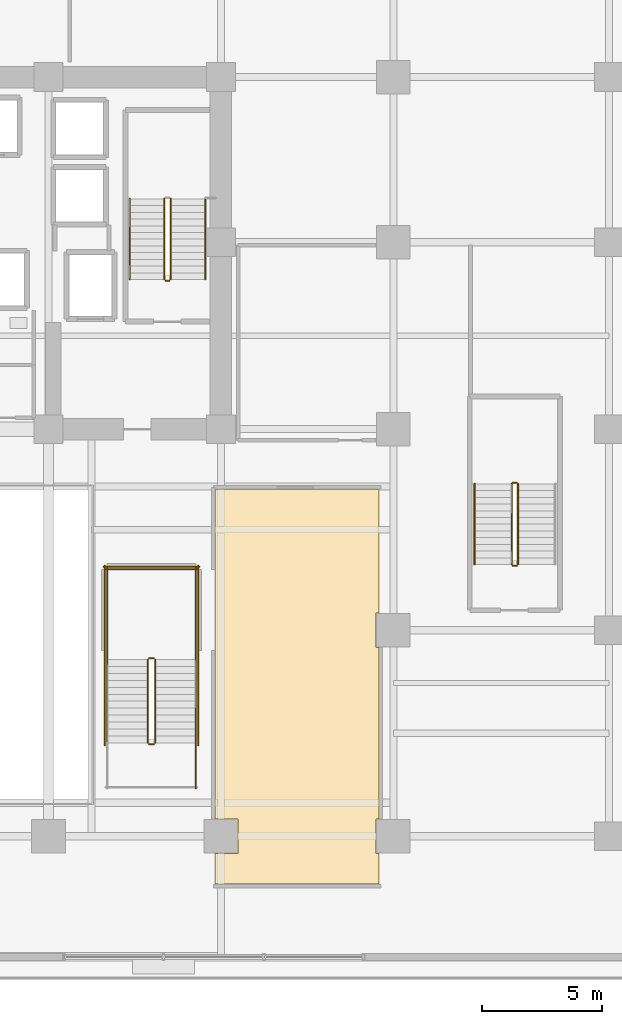
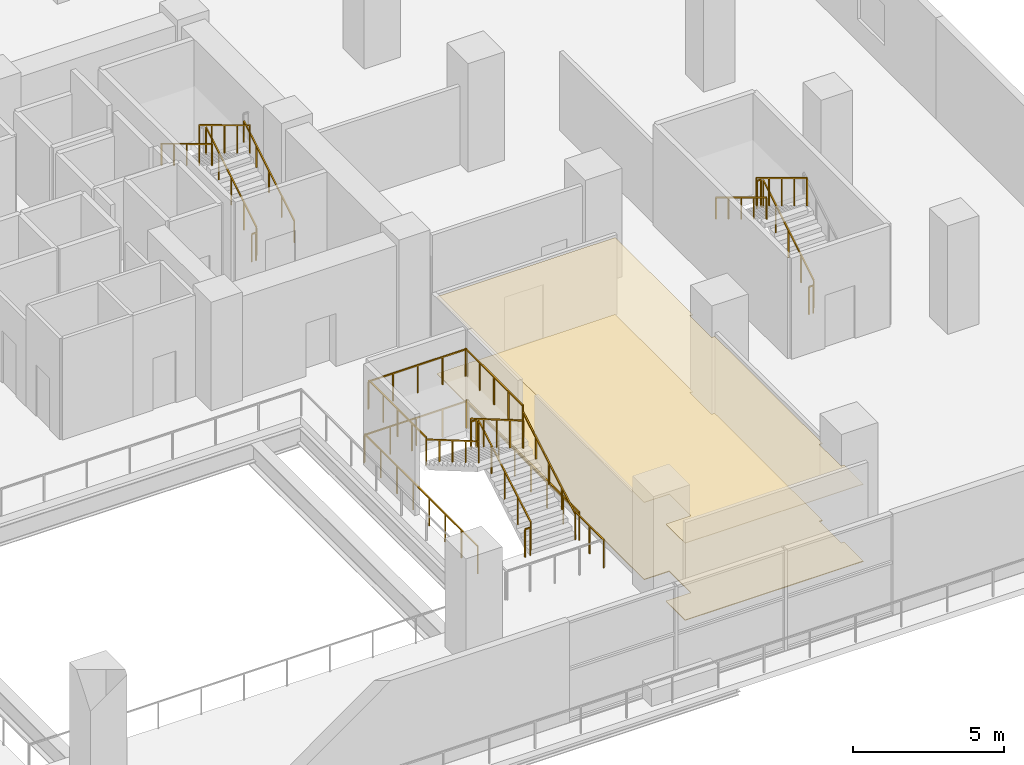
# One storey, part 20 of 23: 23 railings, 2 coverings.
"""IFC4 building model written with IfcOpenShell, lengths in metres."""

from ifc_helpers import new_model, si_unit, direction, frame, origin, origin_2d, place, context, subcontext, project, spatial, polyline, rectangle, outline, extrude, material, layer, layer_set, type_object, element, save


model = new_model("IFC4")

# Units and contexts
model_context = context("Model", 3, precision=1e-05, world=origin(), true_north=direction((0.0, 1.0)))
body_context = subcontext(model_context, "Body", "Model", "MODEL_VIEW")
ifc_project = project(units=[si_unit("LENGTHUNIT", "METRE"), si_unit("AREAUNIT", "SQUARE_METRE"), si_unit("VOLUMEUNIT", "CUBIC_METRE"), si_unit("PLANEANGLEUNIT", "RADIAN"), si_unit("MASSUNIT", "GRAM", prefix="KILO")], contexts=[model_context])

# Site, building, storey
site_placement = place(None, origin())
site = spatial("IfcSite", under=ifc_project, at=site_placement, CompositionType="ELEMENT")
building_placement = place(site_placement, origin())
building = spatial("IfcBuilding", under=site, at=building_placement, Name="Zarnakvel Exchange Tower", CompositionType="ELEMENT")
storey_placement = place(building_placement, frame((0.0, 0.0, 13.800048828125)))
storey = spatial("IfcBuildingStorey", under=building, at=storey_placement, Name="L03", CompositionType="ELEMENT", Elevation=13.800048828125)

# Coverings
ifc_material_1 = material(Name="Perforated Bronze Acoustic Metal Ceiling", Category="aluminium")
ifc_layer_1 = layer(ifc_material_1, 0.02001953125)
ifc_layer_set_1 = layer_set([ifc_layer_1], Name="Perforated Bronze Acoustic Metal Ceiling")
covering_type_1 = type_object("IfcCoveringType", Name="CLG-01", PredefinedType="CEILING", material=ifc_layer_set_1)
covering_1_placement = place(storey_placement, frame((0.0, 0.0, 3.1298828125)))
element("IfcCovering", 1, at=covering_1_placement, inside=storey, type_object=covering_type_1, Name="L03 Suspended Acoustic Ceiling (Auditorium Breakout Foyer)", PredefinedType="CEILING", context=body_context, shape_type="SweptSolid", body=[
    extrude(outline(polyline([(21.0, -3.7099609375), (21.0, -8.8798828125), (20.8798828125, -8.8798828125), (20.8798828125, -10.320068359375), (21.0, -10.320068359375), (21.0, -17.47998046875), (20.8798828125, -17.47998046875), (20.8798828125, -18.919921875), (21.0, -18.919921875), (21.0, -20.199951171875), (14.159912109375, -20.199951171875), (14.159912109375, -18.919921875), (15.1201171875, -18.919921875), (15.1201171875, -17.47998046875), (14.159912109375, -17.47998046875), (14.159912109375, -3.7099609375), (21.0, -3.7099609375)])), origin(), (0.0, 0.0, 1.0), 0.02001953125),
])
ifc_material_2 = material(Name="Honed Limestone & Turquoise Inlay Stone", Category="masonry")
ifc_layer_2 = layer(ifc_material_2, 0.030029296875)
ifc_layer_set_2 = layer_set([ifc_layer_2], Name="Honed Limestone & Turquoise Inlay Stone")
covering_type_2 = type_object("IfcCoveringType", Name="FLR-01", PredefinedType="FLOORING", material=ifc_layer_set_2)
covering_2_placement = place(storey_placement, origin())
element("IfcCovering", 2, at=covering_2_placement, inside=storey, type_object=covering_type_2, Name="L03 Floor Finish (Auditorium Breakout Foyer)", PredefinedType="FLOORING", context=body_context, shape_type="SweptSolid", body=[
    extrude(outline(polyline([(21.0, -3.7099609375), (21.0, -8.8798828125), (20.8798828125, -8.8798828125), (20.8798828125, -10.320068359375), (21.0, -10.320068359375), (21.0, -17.47998046875), (20.8798828125, -17.47998046875), (20.8798828125, -18.919921875), (21.0, -18.919921875), (21.0, -20.199951171875), (14.159912109375, -20.199951171875), (14.159912109375, -18.919921875), (15.1201171875, -18.919921875), (15.1201171875, -17.47998046875), (14.159912109375, -17.47998046875), (14.159912109375, -3.7099609375), (21.0, -3.7099609375)])), origin(), (0.0, 0.0, 1.0), 0.030029296875),
])

# Railings
ifc_material_3 = material(Name="Brushed Stainless Steel", Category="steel")
railing_type_1 = type_object("IfcRailingType", Name="HR-01", PredefinedType="HANDRAIL", material=ifc_material_3)
railing_1_placement = place(storey_placement, frame((13.75, 5.050048828125, 0.169189453125)))
element("IfcRailing", 3, at=railing_1_placement, inside=storey, type_object=railing_type_1, Name="L03 ST-02 stair handrail 1", PredefinedType="HANDRAIL", context=body_context, shape_type="SweptSolid", body=[
    extrude(rectangle(XDim=0.048095703125, YDim=0.048095703125, at=origin_2d()), frame((0.0, 0.0, 0.8759765625), z_axis=(0.0, 0.855820338506, 0.51727318527), x_axis=(-1.0, 0.0, 0.0)), (0.0, 0.0, 1.0), 3.92578125),
    extrude(rectangle(XDim=0.0419921875, YDim=0.0419921875, at=origin_2d()), origin(), (0.0, 0.0, 1.0), 0.851806640625),
    extrude(rectangle(XDim=0.0419921875, YDim=0.0419921875, at=origin_2d()), frame((0.0, 0.83984375, 0.5078125)), (0.0, 0.0, 1.0), 0.851806640625),
    extrude(rectangle(XDim=0.0419921875, YDim=0.0419921875, at=origin_2d()), frame((0.0, 1.679931640625, 1.015380859375)), (0.0, 0.0, 1.0), 0.851806640625),
    extrude(rectangle(XDim=0.0419921875, YDim=0.0419921875, at=origin_2d()), frame((0.0, 2.52001953125, 1.52294921875)), (0.0, 0.0, 1.0), 0.851806640625),
    extrude(rectangle(XDim=0.0419921875, YDim=0.0419921875, at=origin_2d()), frame((0.0, 3.35986328125, 2.03076171875)), (0.0, 0.0, 1.0), 0.851806640625),
])
railing_2_placement = place(storey_placement, frame((10.590087890625, 8.409912109375, 2.369140625)))
element("IfcRailing", 4, at=railing_2_placement, inside=storey, type_object=railing_type_1, Name="L03 ST-02 stair handrail 2", PredefinedType="HANDRAIL", context=body_context, shape_type="SweptSolid", body=[
    extrude(rectangle(XDim=0.048095703125, YDim=0.048095703125, at=origin_2d()), frame((0.0, 0.0, 0.8759765625), z_axis=(0.0, -0.855820338506, 0.51727318527), x_axis=(1.0, 0.0, 0.0)), (0.0, 0.0, 1.0), 3.92578125),
    extrude(rectangle(XDim=0.0419921875, YDim=0.0419921875, at=origin_2d()), origin(), (0.0, 0.0, 1.0), 0.851806640625),
    extrude(rectangle(XDim=0.0419921875, YDim=0.0419921875, at=origin_2d()), frame((0.0, -0.83984375, 0.5078125)), (0.0, 0.0, 1.0), 0.851806640625),
    extrude(rectangle(XDim=0.0419921875, YDim=0.0419921875, at=origin_2d()), frame((0.0, -1.679931640625, 1.015380859375)), (0.0, 0.0, 1.0), 0.851806640625),
    extrude(rectangle(XDim=0.0419921875, YDim=0.0419921875, at=origin_2d()), frame((0.0, -2.52001953125, 1.52294921875)), (0.0, 0.0, 1.0), 0.851806640625),
    extrude(rectangle(XDim=0.0419921875, YDim=0.0419921875, at=origin_2d()), frame((0.0, -3.35986328125, 2.03076171875)), (0.0, 0.0, 1.0), 0.851806640625),
])
railing_3_placement = place(storey_placement, frame((24.989990234375, -3.489990234375, 2.369140625)))
element("IfcRailing", 5, at=railing_3_placement, inside=storey, type_object=railing_type_1, Name="L03 ST-04 stair handrail 2", PredefinedType="HANDRAIL", context=body_context, shape_type="SweptSolid", body=[
    extrude(rectangle(XDim=0.048095703125, YDim=0.048095703125, at=origin_2d()), frame((0.0, 0.0, 0.8759765625), z_axis=(0.0, -0.855836976705, 0.517245656632), x_axis=(1.0, 0.0, 0.0)), (0.0, 0.0, 1.0), 3.926025390625),
    extrude(rectangle(XDim=0.0419921875, YDim=0.0419921875, at=origin_2d()), origin(), (0.0, 0.0, 1.0), 0.851806640625),
    extrude(rectangle(XDim=0.0419921875, YDim=0.0419921875, at=origin_2d()), frame((0.0, -0.840087890625, 0.5078125)), (0.0, 0.0, 1.0), 0.851806640625),
    extrude(rectangle(XDim=0.0419921875, YDim=0.0419921875, at=origin_2d()), frame((0.0, -1.68017578125, 1.015380859375)), (0.0, 0.0, 1.0), 0.851806640625),
    extrude(rectangle(XDim=0.0419921875, YDim=0.0419921875, at=origin_2d()), frame((0.0, -2.52001953125, 1.52294921875)), (0.0, 0.0, 1.0), 0.851806640625),
    extrude(rectangle(XDim=0.0419921875, YDim=0.0419921875, at=origin_2d()), frame((0.0, -3.360107421875, 2.03076171875)), (0.0, 0.0, 1.0), 0.851806640625),
])
railing_4_placement = place(storey_placement, frame((13.35009765625, -14.300048828125, 0.169189453125)))
element("IfcRailing", 6, at=railing_4_placement, inside=storey, type_object=railing_type_1, Name="L03 ST-06 stair handrail 1", PredefinedType="HANDRAIL", context=body_context, shape_type="SweptSolid", body=[
    extrude(rectangle(XDim=0.048095703125, YDim=0.048095703125, at=origin_2d()), frame((0.0, 0.0, 0.8759765625), z_axis=(0.0, 0.863695377172, 0.504014181796), x_axis=(-1.0, 0.0, 0.0)), (0.0, 0.0, 1.0), 4.029296875),
    extrude(rectangle(XDim=0.0419921875, YDim=0.0419921875, at=origin_2d()), origin(), (0.0, 0.0, 1.0), 0.851806640625),
    extrude(rectangle(XDim=0.0419921875, YDim=0.0419921875, at=origin_2d()), frame((0.0, 0.8701171875, 0.5078125)), (0.0, 0.0, 1.0), 0.851806640625),
    extrude(rectangle(XDim=0.0419921875, YDim=0.0419921875, at=origin_2d()), frame((0.0, 1.739990234375, 1.015380859375)), (0.0, 0.0, 1.0), 0.851806640625),
    extrude(rectangle(XDim=0.0419921875, YDim=0.0419921875, at=origin_2d()), frame((0.0, 2.60986328125, 1.52294921875)), (0.0, 0.0, 1.0), 0.851806640625),
    extrude(rectangle(XDim=0.0419921875, YDim=0.0419921875, at=origin_2d()), frame((0.0, 3.47998046875, 2.03076171875)), (0.0, 0.0, 1.0), 0.851806640625),
])
railing_5_placement = place(storey_placement, frame((9.64990234375, -10.820068359375, 2.369140625)))
element("IfcRailing", 7, at=railing_5_placement, inside=storey, type_object=railing_type_1, Name="L03 ST-06 stair handrail 2", PredefinedType="HANDRAIL", context=body_context, shape_type="SweptSolid", body=[
    extrude(rectangle(XDim=0.048095703125, YDim=0.048095703125, at=origin_2d()), frame((0.0, 0.0, 0.8759765625), z_axis=(0.0, -0.863695377172, 0.504014181796), x_axis=(1.0, 0.0, 0.0)), (0.0, 0.0, 1.0), 4.029296875),
    extrude(rectangle(XDim=0.0419921875, YDim=0.0419921875, at=origin_2d()), origin(), (0.0, 0.0, 1.0), 0.851806640625),
    extrude(rectangle(XDim=0.0419921875, YDim=0.0419921875, at=origin_2d()), frame((0.0, -0.8701171875, 0.5078125)), (0.0, 0.0, 1.0), 0.851806640625),
    extrude(rectangle(XDim=0.0419921875, YDim=0.0419921875, at=origin_2d()), frame((0.0, -1.739990234375, 1.015380859375)), (0.0, 0.0, 1.0), 0.851806640625),
    extrude(rectangle(XDim=0.0419921875, YDim=0.0419921875, at=origin_2d()), frame((0.0, -2.60986328125, 1.52294921875)), (0.0, 0.0, 1.0), 0.851806640625),
    extrude(rectangle(XDim=0.0419921875, YDim=0.0419921875, at=origin_2d()), frame((0.0, -3.47998046875, 2.03076171875)), (0.0, 0.0, 1.0), 0.851806640625),
])
ifc_material_4 = material(Name="Architectural Bronze Anodised Aluminium", Category="aluminium")
railing_type_2 = type_object("IfcRailingType", Name="SG-01", PredefinedType="GUARDRAIL", material=ifc_material_4)
railing_6_placement = place(storey_placement, frame((12.300048828125, 5.050048828125, 0.169189453125)))
element("IfcRailing", 8, at=railing_6_placement, inside=storey, type_object=railing_type_2, Name="L03 ST-02 stair guard 1", PredefinedType="GUARDRAIL", context=body_context, shape_type="SweptSolid", body=[
    extrude(rectangle(XDim=0.048095703125, YDim=0.048095703125, at=origin_2d()), frame((0.0, 0.0, 1.1259765625), z_axis=(0.0, 0.855820338506, 0.51727318527), x_axis=(-1.0, 0.0, 0.0)), (0.0, 0.0, 1.0), 3.92578125),
    extrude(rectangle(XDim=0.0419921875, YDim=0.0419921875, at=origin_2d()), origin(), (0.0, 0.0, 1.0), 1.101806640625),
    extrude(rectangle(XDim=0.0419921875, YDim=0.0419921875, at=origin_2d()), frame((0.0, 0.83984375, 0.5078125)), (0.0, 0.0, 1.0), 1.101806640625),
    extrude(rectangle(XDim=0.0419921875, YDim=0.0419921875, at=origin_2d()), frame((0.0, 1.679931640625, 1.015380859375)), (0.0, 0.0, 1.0), 1.101806640625),
    extrude(rectangle(XDim=0.0419921875, YDim=0.0419921875, at=origin_2d()), frame((0.0, 2.52001953125, 1.52294921875)), (0.0, 0.0, 1.0), 1.101806640625),
    extrude(rectangle(XDim=0.0419921875, YDim=0.0419921875, at=origin_2d()), frame((0.0, 3.35986328125, 2.03076171875)), (0.0, 0.0, 1.0), 1.101806640625),
])
railing_7_placement = place(storey_placement, frame((12.0400390625, 8.409912109375, 2.369140625)))
element("IfcRailing", 9, at=railing_7_placement, inside=storey, type_object=railing_type_2, Name="L03 ST-02 stair guard 3", PredefinedType="GUARDRAIL", context=body_context, shape_type="SweptSolid", body=[
    extrude(rectangle(XDim=0.048095703125, YDim=0.048095703125, at=origin_2d()), frame((0.0, 0.0, 1.1259765625), z_axis=(0.0, -0.855820338506, 0.51727318527), x_axis=(1.0, 0.0, 0.0)), (0.0, 0.0, 1.0), 3.92578125),
    extrude(rectangle(XDim=0.0419921875, YDim=0.0419921875, at=origin_2d()), origin(), (0.0, 0.0, 1.0), 1.101806640625),
    extrude(rectangle(XDim=0.0419921875, YDim=0.0419921875, at=origin_2d()), frame((0.0, -0.83984375, 0.5078125)), (0.0, 0.0, 1.0), 1.101806640625),
    extrude(rectangle(XDim=0.0419921875, YDim=0.0419921875, at=origin_2d()), frame((0.0, -1.679931640625, 1.015380859375)), (0.0, 0.0, 1.0), 1.101806640625),
    extrude(rectangle(XDim=0.0419921875, YDim=0.0419921875, at=origin_2d()), frame((0.0, -2.52001953125, 1.52294921875)), (0.0, 0.0, 1.0), 1.101806640625),
    extrude(rectangle(XDim=0.0419921875, YDim=0.0419921875, at=origin_2d()), frame((0.0, -3.35986328125, 2.03076171875)), (0.0, 0.0, 1.0), 1.101806640625),
])
railing_8_placement = place(storey_placement, frame((12.25, 5.0, 0.0)))
element("IfcRailing", 10, at=railing_8_placement, inside=storey, type_object=railing_type_2, Name="L03 ST-02 stair guard 4", PredefinedType="GUARDRAIL", context=body_context, shape_type="SweptSolid", body=[
    extrude(rectangle(XDim=0.048095703125, YDim=0.048095703125, at=origin_2d()), frame((0.0, 0.0, 1.1259765625), z_axis=(-1.0, 0.0, 0.0), x_axis=(0.0, -1.0, 0.0)), (0.0, 0.0, 1.0), 0.159912109375),
    extrude(rectangle(XDim=0.0419921875, YDim=0.0419921875, at=origin_2d()), origin(), (0.0, 0.0, 1.0), 1.101806640625),
    extrude(rectangle(XDim=0.0419921875, YDim=0.0419921875, at=origin_2d()), frame((-0.159912109375, 0.0, 0.0)), (0.0, 0.0, 1.0), 1.101806640625),
])
railing_9_placement = place(storey_placement, frame((26.800048828125, -6.85009765625, 0.169189453125)))
element("IfcRailing", 11, at=railing_9_placement, inside=storey, type_object=railing_type_2, Name="L03 ST-04 stair guard 1", PredefinedType="GUARDRAIL", context=body_context, shape_type="SweptSolid", body=[
    extrude(rectangle(XDim=0.048095703125, YDim=0.048095703125, at=origin_2d()), frame((0.0, 0.0, 1.1259765625), z_axis=(0.0, 0.855836976705, 0.517245656632), x_axis=(-1.0, 0.0, 0.0)), (0.0, 0.0, 1.0), 3.926025390625),
    extrude(rectangle(XDim=0.0419921875, YDim=0.0419921875, at=origin_2d()), origin(), (0.0, 0.0, 1.0), 1.101806640625),
    extrude(rectangle(XDim=0.0419921875, YDim=0.0419921875, at=origin_2d()), frame((0.0, 0.840087890625, 0.5078125)), (0.0, 0.0, 1.0), 1.101806640625),
    extrude(rectangle(XDim=0.0419921875, YDim=0.0419921875, at=origin_2d()), frame((0.0, 1.68017578125, 1.015380859375)), (0.0, 0.0, 1.0), 1.101806640625),
    extrude(rectangle(XDim=0.0419921875, YDim=0.0419921875, at=origin_2d()), frame((0.0, 2.52001953125, 1.52294921875)), (0.0, 0.0, 1.0), 1.101806640625),
    extrude(rectangle(XDim=0.0419921875, YDim=0.0419921875, at=origin_2d()), frame((0.0, 3.360107421875, 2.03076171875)), (0.0, 0.0, 1.0), 1.101806640625),
])
railing_10_placement = place(storey_placement, frame((26.75, -3.43994140625, 2.199951171875)))
element("IfcRailing", 12, at=railing_10_placement, inside=storey, type_object=railing_type_2, Name="L03 ST-04 stair guard 2", PredefinedType="GUARDRAIL", context=body_context, shape_type="SweptSolid", body=[
    extrude(rectangle(XDim=0.048095703125, YDim=0.048095703125, at=origin_2d()), frame((0.0, 0.0, 1.1259765625), z_axis=(-1.0, 0.0, 0.0), x_axis=(0.0, -1.0, 0.0)), (0.0, 0.0, 1.0), 0.159912109375),
    extrude(rectangle(XDim=0.0419921875, YDim=0.0419921875, at=origin_2d()), origin(), (0.0, 0.0, 1.0), 1.101806640625),
    extrude(rectangle(XDim=0.0419921875, YDim=0.0419921875, at=origin_2d()), frame((-0.159912109375, 0.0, 0.0)), (0.0, 0.0, 1.0), 1.101806640625),
])
railing_11_placement = place(storey_placement, frame((26.5400390625, -3.489990234375, 2.369140625)))
element("IfcRailing", 13, at=railing_11_placement, inside=storey, type_object=railing_type_2, Name="L03 ST-04 stair guard 3", PredefinedType="GUARDRAIL", context=body_context, shape_type="SweptSolid", body=[
    extrude(rectangle(XDim=0.048095703125, YDim=0.048095703125, at=origin_2d()), frame((0.0, 0.0, 1.1259765625), z_axis=(0.0, -0.855836976705, 0.517245656632), x_axis=(1.0, 0.0, 0.0)), (0.0, 0.0, 1.0), 3.926025390625),
    extrude(rectangle(XDim=0.0419921875, YDim=0.0419921875, at=origin_2d()), origin(), (0.0, 0.0, 1.0), 1.101806640625),
    extrude(rectangle(XDim=0.0419921875, YDim=0.0419921875, at=origin_2d()), frame((0.0, -0.840087890625, 0.5078125)), (0.0, 0.0, 1.0), 1.101806640625),
    extrude(rectangle(XDim=0.0419921875, YDim=0.0419921875, at=origin_2d()), frame((0.0, -1.68017578125, 1.015380859375)), (0.0, 0.0, 1.0), 1.101806640625),
    extrude(rectangle(XDim=0.0419921875, YDim=0.0419921875, at=origin_2d()), frame((0.0, -2.52001953125, 1.52294921875)), (0.0, 0.0, 1.0), 1.101806640625),
    extrude(rectangle(XDim=0.0419921875, YDim=0.0419921875, at=origin_2d()), frame((0.0, -3.360107421875, 2.03076171875)), (0.0, 0.0, 1.0), 1.101806640625),
])
railing_12_placement = place(storey_placement, frame((26.75, -6.89990234375, 0.0)))
element("IfcRailing", 14, at=railing_12_placement, inside=storey, type_object=railing_type_2, Name="L03 ST-04 stair guard 4", PredefinedType="GUARDRAIL", context=body_context, shape_type="SweptSolid", body=[
    extrude(rectangle(XDim=0.048095703125, YDim=0.048095703125, at=origin_2d()), frame((0.0, 0.0, 1.1259765625), z_axis=(-1.0, 0.0, 0.0), x_axis=(0.0, -1.0, 0.0)), (0.0, 0.0, 1.0), 0.159912109375),
    extrude(rectangle(XDim=0.0419921875, YDim=0.0419921875, at=origin_2d()), origin(), (0.0, 0.0, 1.0), 1.101806640625),
    extrude(rectangle(XDim=0.0419921875, YDim=0.0419921875, at=origin_2d()), frame((-0.159912109375, 0.0, 0.0)), (0.0, 0.0, 1.0), 1.101806640625),
])
railing_13_placement = place(storey_placement, frame((11.64990234375, -14.300048828125, 0.169189453125)))
element("IfcRailing", 15, at=railing_13_placement, inside=storey, type_object=railing_type_2, Name="L03 ST-06 stair guard 1", PredefinedType="GUARDRAIL", context=body_context, shape_type="SweptSolid", body=[
    extrude(rectangle(XDim=0.048095703125, YDim=0.048095703125, at=origin_2d()), frame((0.0, 0.0, 1.1259765625), z_axis=(0.0, 0.863695377172, 0.504014181796), x_axis=(-1.0, 0.0, 0.0)), (0.0, 0.0, 1.0), 4.029296875),
    extrude(rectangle(XDim=0.0419921875, YDim=0.0419921875, at=origin_2d()), origin(), (0.0, 0.0, 1.0), 1.101806640625),
    extrude(rectangle(XDim=0.0419921875, YDim=0.0419921875, at=origin_2d()), frame((0.0, 0.8701171875, 0.5078125)), (0.0, 0.0, 1.0), 1.101806640625),
    extrude(rectangle(XDim=0.0419921875, YDim=0.0419921875, at=origin_2d()), frame((0.0, 1.739990234375, 1.015380859375)), (0.0, 0.0, 1.0), 1.101806640625),
    extrude(rectangle(XDim=0.0419921875, YDim=0.0419921875, at=origin_2d()), frame((0.0, 2.60986328125, 1.52294921875)), (0.0, 0.0, 1.0), 1.101806640625),
    extrude(rectangle(XDim=0.0419921875, YDim=0.0419921875, at=origin_2d()), frame((0.0, 3.47998046875, 2.03076171875)), (0.0, 0.0, 1.0), 1.101806640625),
])
railing_14_placement = place(storey_placement, frame((11.60009765625, -10.77001953125, 2.199951171875)))
element("IfcRailing", 16, at=railing_14_placement, inside=storey, type_object=railing_type_2, Name="L03 ST-06 stair guard 2", PredefinedType="GUARDRAIL", context=body_context, shape_type="SweptSolid", body=[
    extrude(rectangle(XDim=0.048095703125, YDim=0.048095703125, at=origin_2d()), frame((0.0, 0.0, 1.1259765625), z_axis=(-1.0, 0.0, 0.0), x_axis=(0.0, -1.0, 0.0)), (0.0, 0.0, 1.0), 0.2001953125),
    extrude(rectangle(XDim=0.0419921875, YDim=0.0419921875, at=origin_2d()), origin(), (0.0, 0.0, 1.0), 1.101806640625),
    extrude(rectangle(XDim=0.0419921875, YDim=0.0419921875, at=origin_2d()), frame((-0.2001953125, 0.0, 0.0)), (0.0, 0.0, 1.0), 1.101806640625),
])
for number, where, name in (
    (17, (13.35009765625, -10.820068359375, 2.199951171875), "L03 ST-06 stair guard 3"),
    (18, (9.64990234375, -10.820068359375, 2.199951171875), "L03 ST-06 stair guard 4"),
):
    element("IfcRailing", number, at=place(storey_placement, frame(where)), inside=storey, type_object=railing_type_2, Name=name, PredefinedType="GUARDRAIL", context=body_context, shape_type="SweptSolid", body=[
        extrude(rectangle(XDim=0.048095703125, YDim=0.048095703125, at=origin_2d()), frame((0.0, 0.0, 1.1259765625), z_axis=(0.0, 1.0, 0.0), x_axis=(-1.0, 0.0, 0.0)), (0.0, 0.0, 1.0), 3.820068359375),
        extrude(rectangle(XDim=0.0419921875, YDim=0.0419921875, at=origin_2d()), origin(), (0.0, 0.0, 1.0), 1.101806640625),
        extrude(rectangle(XDim=0.0419921875, YDim=0.0419921875, at=origin_2d()), frame((0.0, 0.955078125, 0.0)), (0.0, 0.0, 1.0), 1.101806640625),
        extrude(rectangle(XDim=0.0419921875, YDim=0.0419921875, at=origin_2d()), frame((0.0, 1.91015625, 0.0)), (0.0, 0.0, 1.0), 1.101806640625),
        extrude(rectangle(XDim=0.0419921875, YDim=0.0419921875, at=origin_2d()), frame((0.0, 2.864990234375, 0.0)), (0.0, 0.0, 1.0), 1.101806640625),
        extrude(rectangle(XDim=0.0419921875, YDim=0.0419921875, at=origin_2d()), frame((0.0, 3.820068359375, 0.0)), (0.0, 0.0, 1.0), 1.101806640625),
    ])
railing_15_placement = place(storey_placement, frame((13.39990234375, -7.050048828125, 2.199951171875)))
element("IfcRailing", 19, at=railing_15_placement, inside=storey, type_object=railing_type_2, Name="L03 ST-06 stair guard 5", PredefinedType="GUARDRAIL", context=body_context, shape_type="SweptSolid", body=[
    extrude(rectangle(XDim=0.048095703125, YDim=0.048095703125, at=origin_2d()), frame((0.0, 0.0, 1.1259765625), z_axis=(-1.0, 0.0, 0.0), x_axis=(0.0, -1.0, 0.0)), (0.0, 0.0, 1.0), 3.7998046875),
    extrude(rectangle(XDim=0.0419921875, YDim=0.0419921875, at=origin_2d()), origin(), (0.0, 0.0, 1.0), 1.101806640625),
    extrude(rectangle(XDim=0.0419921875, YDim=0.0419921875, at=origin_2d()), frame((-0.949951171875, 0.0, 0.0)), (0.0, 0.0, 1.0), 1.101806640625),
    extrude(rectangle(XDim=0.0419921875, YDim=0.0419921875, at=origin_2d()), frame((-1.89990234375, 0.0, 0.0)), (0.0, 0.0, 1.0), 1.101806640625),
    extrude(rectangle(XDim=0.0419921875, YDim=0.0419921875, at=origin_2d()), frame((-2.849853515625, 0.0, 0.0)), (0.0, 0.0, 1.0), 1.101806640625),
    extrude(rectangle(XDim=0.0419921875, YDim=0.0419921875, at=origin_2d()), frame((-3.7998046875, 0.0, 0.0)), (0.0, 0.0, 1.0), 1.101806640625),
])
railing_16_placement = place(storey_placement, frame((11.35009765625, -10.820068359375, 2.369140625)))
element("IfcRailing", 20, at=railing_16_placement, inside=storey, type_object=railing_type_2, Name="L03 ST-06 stair guard 6", PredefinedType="GUARDRAIL", context=body_context, shape_type="SweptSolid", body=[
    extrude(rectangle(XDim=0.048095703125, YDim=0.048095703125, at=origin_2d()), frame((0.0, 0.0, 1.1259765625), z_axis=(0.0, -0.863695377172, 0.504014181796), x_axis=(1.0, 0.0, 0.0)), (0.0, 0.0, 1.0), 4.029296875),
    extrude(rectangle(XDim=0.0419921875, YDim=0.0419921875, at=origin_2d()), origin(), (0.0, 0.0, 1.0), 1.101806640625),
    extrude(rectangle(XDim=0.0419921875, YDim=0.0419921875, at=origin_2d()), frame((0.0, -0.8701171875, 0.5078125)), (0.0, 0.0, 1.0), 1.101806640625),
    extrude(rectangle(XDim=0.0419921875, YDim=0.0419921875, at=origin_2d()), frame((0.0, -1.739990234375, 1.015380859375)), (0.0, 0.0, 1.0), 1.101806640625),
    extrude(rectangle(XDim=0.0419921875, YDim=0.0419921875, at=origin_2d()), frame((0.0, -2.60986328125, 1.52294921875)), (0.0, 0.0, 1.0), 1.101806640625),
    extrude(rectangle(XDim=0.0419921875, YDim=0.0419921875, at=origin_2d()), frame((0.0, -3.47998046875, 2.03076171875)), (0.0, 0.0, 1.0), 1.101806640625),
])
railing_17_placement = place(storey_placement, frame((11.60009765625, -14.35009765625, 0.0)))
element("IfcRailing", 21, at=railing_17_placement, inside=storey, type_object=railing_type_2, Name="L03 ST-06 stair guard 7", PredefinedType="GUARDRAIL", context=body_context, shape_type="SweptSolid", body=[
    extrude(rectangle(XDim=0.048095703125, YDim=0.048095703125, at=origin_2d()), frame((0.0, 0.0, 1.1259765625), z_axis=(-1.0, 0.0, 0.0), x_axis=(0.0, -1.0, 0.0)), (0.0, 0.0, 1.0), 0.2001953125),
    extrude(rectangle(XDim=0.0419921875, YDim=0.0419921875, at=origin_2d()), origin(), (0.0, 0.0, 1.0), 1.101806640625),
    extrude(rectangle(XDim=0.0419921875, YDim=0.0419921875, at=origin_2d()), frame((-0.2001953125, 0.0, 0.0)), (0.0, 0.0, 1.0), 1.101806640625),
])
railing_18_placement = place(storey_placement, frame((13.35009765625, -16.199951171875, 0.0)))
element("IfcRailing", 22, at=railing_18_placement, inside=storey, type_object=railing_type_2, Name="L03 ST-06 stair guard 8", PredefinedType="GUARDRAIL", context=body_context, shape_type="SweptSolid", body=[
    extrude(rectangle(XDim=0.048095703125, YDim=0.048095703125, at=origin_2d()), frame((0.0, 0.0, 1.1259765625), z_axis=(0.0, 1.0, 0.0), x_axis=(-1.0, 0.0, 0.0)), (0.0, 0.0, 1.0), 1.89990234375),
    extrude(rectangle(XDim=0.0419921875, YDim=0.0419921875, at=origin_2d()), origin(), (0.0, 0.0, 1.0), 1.101806640625),
    extrude(rectangle(XDim=0.0419921875, YDim=0.0419921875, at=origin_2d()), frame((0.0, 0.949951171875, 0.0)), (0.0, 0.0, 1.0), 1.101806640625),
    extrude(rectangle(XDim=0.0419921875, YDim=0.0419921875, at=origin_2d()), frame((0.0, 1.89990234375, 0.0)), (0.0, 0.0, 1.0), 1.101806640625),
])
for number, where, name in (
    (23, (13.449951171875, -14.39990234375, 0.0), "L03 ST-06 stair guard 11"),
    (24, (9.550048828125, -14.39990234375, 0.0), "L03 ST-06 stair guard 12"),
):
    element("IfcRailing", number, at=place(storey_placement, frame(where)), inside=storey, type_object=railing_type_2, Name=name, PredefinedType="GUARDRAIL", context=body_context, shape_type="SweptSolid", body=[
        extrude(rectangle(XDim=0.048095703125, YDim=0.048095703125, at=origin_2d()), frame((0.0, 0.0, 1.1259765625), z_axis=(0.0, 1.0, 0.0), x_axis=(-1.0, 0.0, 0.0)), (0.0, 0.0, 1.0), 7.5),
        extrude(rectangle(XDim=0.0419921875, YDim=0.0419921875, at=origin_2d()), origin(), (0.0, 0.0, 1.0), 1.101806640625),
        extrude(rectangle(XDim=0.0419921875, YDim=0.0419921875, at=origin_2d()), frame((0.0, 1.071533203125, 0.0)), (0.0, 0.0, 1.0), 1.101806640625),
        extrude(rectangle(XDim=0.0419921875, YDim=0.0419921875, at=origin_2d()), frame((0.0, 2.142822265625, 0.0)), (0.0, 0.0, 1.0), 1.101806640625),
        extrude(rectangle(XDim=0.0419921875, YDim=0.0419921875, at=origin_2d()), frame((0.0, 3.21435546875, 0.0)), (0.0, 0.0, 1.0), 1.101806640625),
        extrude(rectangle(XDim=0.0419921875, YDim=0.0419921875, at=origin_2d()), frame((0.0, 4.28564453125, 0.0)), (0.0, 0.0, 1.0), 1.101806640625),
        extrude(rectangle(XDim=0.0419921875, YDim=0.0419921875, at=origin_2d()), frame((0.0, 5.357177734375, 0.0)), (0.0, 0.0, 1.0), 1.101806640625),
        extrude(rectangle(XDim=0.0419921875, YDim=0.0419921875, at=origin_2d()), frame((0.0, 6.428466796875, 0.0)), (0.0, 0.0, 1.0), 1.101806640625),
        extrude(rectangle(XDim=0.0419921875, YDim=0.0419921875, at=origin_2d()), frame((0.0, 7.5, 0.0)), (0.0, 0.0, 1.0), 1.101806640625),
    ])
railing_19_placement = place(storey_placement, frame((13.5, -6.949951171875, 0.0)))
element("IfcRailing", 25, at=railing_19_placement, inside=storey, type_object=railing_type_2, Name="L03 ST-06 stair guard 13", PredefinedType="GUARDRAIL", context=body_context, shape_type="SweptSolid", body=[
    extrude(rectangle(XDim=0.048095703125, YDim=0.048095703125, at=origin_2d()), frame((0.0, 0.0, 1.1259765625), z_axis=(-1.0, 0.0, 0.0), x_axis=(0.0, -1.0, 0.0)), (0.0, 0.0, 1.0), 4.0),
    extrude(rectangle(XDim=0.0419921875, YDim=0.0419921875, at=origin_2d()), origin(), (0.0, 0.0, 1.0), 1.101806640625),
    extrude(rectangle(XDim=0.0419921875, YDim=0.0419921875, at=origin_2d()), frame((-1.0, 0.0, 0.0)), (0.0, 0.0, 1.0), 1.101806640625),
    extrude(rectangle(XDim=0.0419921875, YDim=0.0419921875, at=origin_2d()), frame((-2.0, 0.0, 0.0)), (0.0, 0.0, 1.0), 1.101806640625),
    extrude(rectangle(XDim=0.0419921875, YDim=0.0419921875, at=origin_2d()), frame((-3.0, 0.0, 0.0)), (0.0, 0.0, 1.0), 1.101806640625),
    extrude(rectangle(XDim=0.0419921875, YDim=0.0419921875, at=origin_2d()), frame((-4.0, 0.0, 0.0)), (0.0, 0.0, 1.0), 1.101806640625),
])

save(model, "model.ifc")
